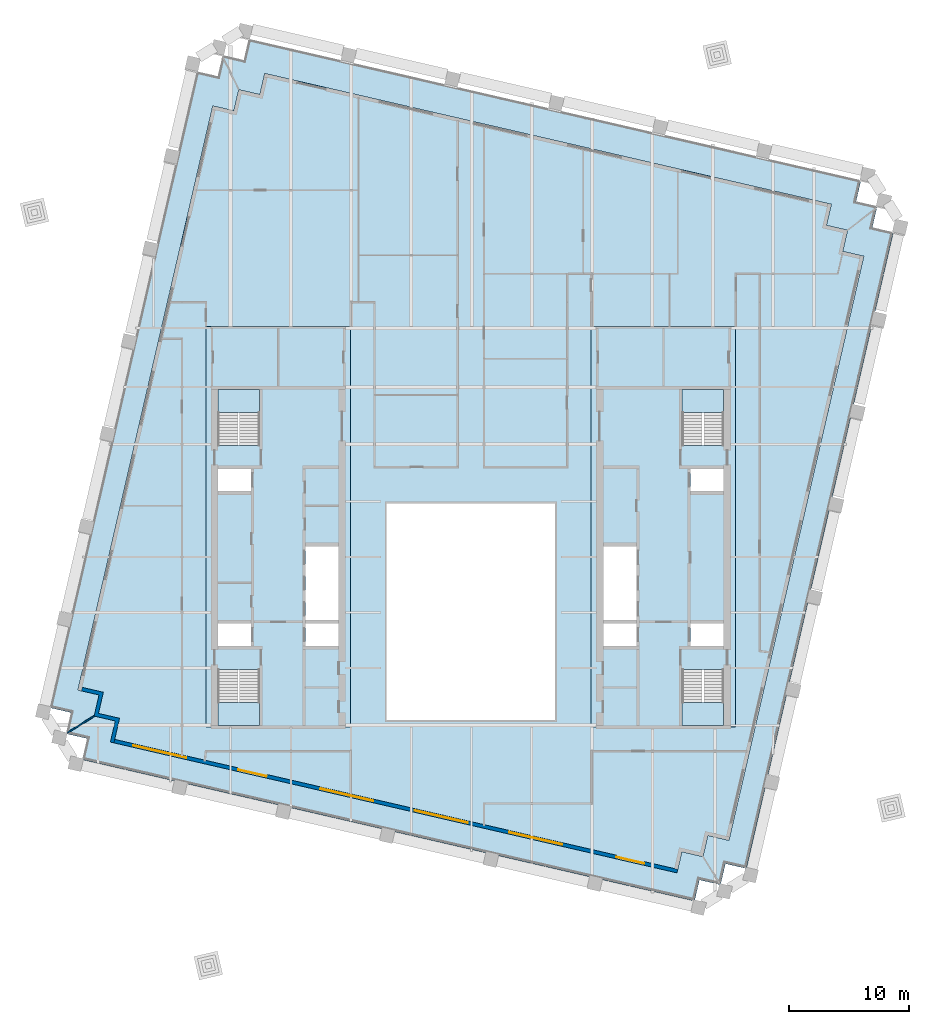
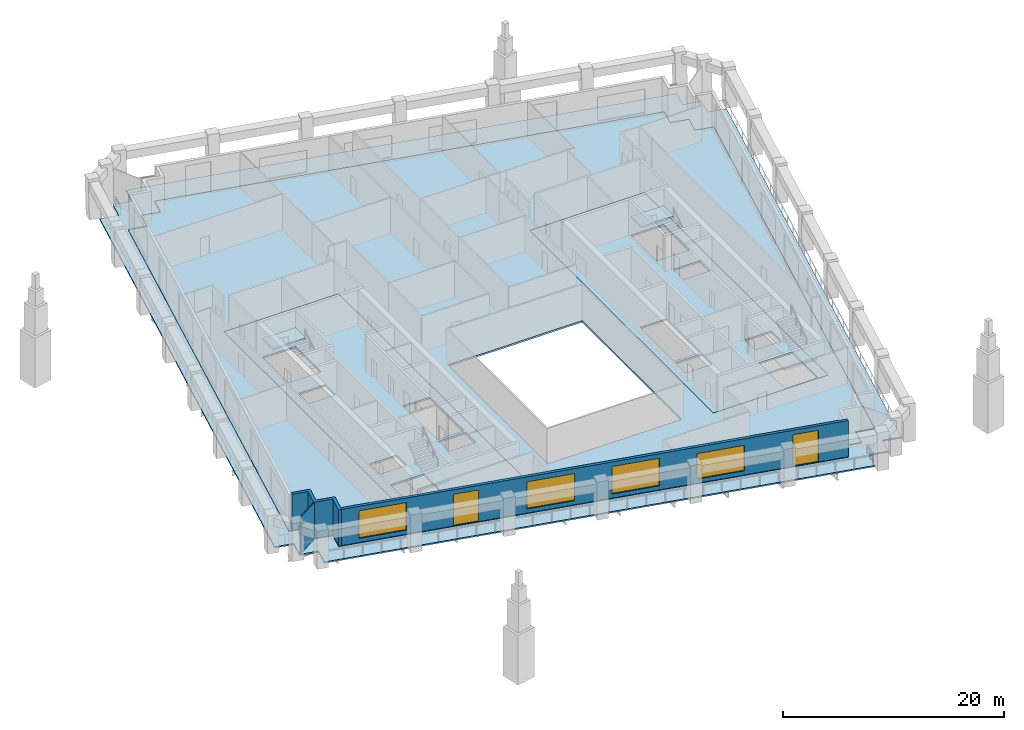
# One storey, part 3 of 9: 8 slabs, 4 windows, 3 walls, 2 doors, 6 openings, 4 elements without a shape of their own.
"""IFC4 building model written with IfcOpenShell, lengths in metres."""

import ifcopenshell
import ifcopenshell.guid

model = None  # the IFC model being written
_history = None  # IfcOwnerHistory: only IFC2X3 demands one
_inside = {}  # id of a spatial element -> (the spatial element, [elements in it])
_under = {}  # id of a project, library or spatial element -> (it, [spatial elements below it])
_declared = {}  # id of a project -> (the project, [libraries it declares])
_typed = {}  # id of a type object -> (the type object, [elements of that type])
_made_of = {}  # id of a material, layer set ... -> (it, [elements and type objects made of it])


def new_model(schema):
    """Start an empty IFC model of exactly this schema.

    Asked for "IFC4X3", IfcOpenShell would pick the latest addendum, in which some entities
    have other attributes; the version numbers below select the first issue.
    IFC2X3 requires an IfcOwnerHistory on every rooted entity: one is made here for all.
    """
    global model, _history
    if schema == "IFC4X3":
        model = ifcopenshell.file(schema_version=(4, 3, 0, 0))
    else:
        model = ifcopenshell.file(schema=schema)
    _inside.clear()
    _under.clear()
    _declared.clear()
    _typed.clear()
    _made_of.clear()
    _history = None
    if model.schema == "IFC2X3":
        org = make("IfcOrganization", Name="unknown")
        user = make(
            "IfcPersonAndOrganization",
            ThePerson=make("IfcPerson", FamilyName="unknown"),
            TheOrganization=org,
        )
        app = make(
            "IfcApplication",
            ApplicationDeveloper=org,
            Version="unknown",
            ApplicationFullName="unknown",
            ApplicationIdentifier="unknown",
        )
        _history = make(
            "IfcOwnerHistory",
            OwningUser=user,
            OwningApplication=app,
            ChangeAction="ADDED",
            CreationDate=0,
        )
    return model


def make(cls, **values):
    """One entity of the class cls with the attributes given. An attribute that is None is left unset."""
    return model.create_entity(
        cls, **{name: value for name, value in values.items() if value is not None}
    )


def rooted(cls, **values):
    """An entity with a GlobalId (a new one), such as an element, a storey or a relation."""
    return make(cls, GlobalId=ifcopenshell.guid.new(), OwnerHistory=_history, **values)


def si_unit(unit_type, name, prefix=None):
    """IfcSIUnit, for example si_unit("LENGTHUNIT", "METRE", prefix="MILLI")."""
    return make("IfcSIUnit", UnitType=unit_type, Prefix=prefix, Name=name)


def assignment(units):
    """IfcUnitAssignment: the units of a project."""
    return None if units is None else make("IfcUnitAssignment", Units=units)


def point(xyz):
    """IfcCartesianPoint."""
    return None if xyz is None else make("IfcCartesianPoint", Coordinates=xyz)


def direction(xyz):
    """IfcDirection."""
    return None if xyz is None else make("IfcDirection", DirectionRatios=xyz)


def frame(location, z_axis=None, x_axis=None):
    """IfcAxis2Placement3D, a coordinate frame: its origin and axes. An axis left out is left unset."""
    return make(
        "IfcAxis2Placement3D",
        Location=point(location),
        Axis=direction(z_axis),
        RefDirection=direction(x_axis),
    )


def frame_2d(location, x_axis=None):
    """IfcAxis2Placement2D, a coordinate frame in the plane: its origin and x axis."""
    return make(
        "IfcAxis2Placement2D", Location=point(location), RefDirection=direction(x_axis)
    )


def origin():
    """The frame at (0, 0, 0) with its axes left unset."""
    return frame((0.0, 0.0, 0.0))


def place(relative_to, where):
    """IfcLocalPlacement: puts the frame where relative to a parent placement (None: the world)."""
    return make(
        "IfcLocalPlacement", PlacementRelTo=relative_to, RelativePlacement=where
    )


def context(
    kind, dimensions, precision=None, world=None, true_north=None, identifier=None
):
    """IfcGeometricRepresentationContext, for example the 3D "Model" context."""
    return make(
        "IfcGeometricRepresentationContext",
        ContextIdentifier=identifier,
        ContextType=kind,
        CoordinateSpaceDimension=dimensions,
        Precision=precision,
        WorldCoordinateSystem=world,
        TrueNorth=true_north,
    )


def subcontext(parent, identifier, kind, view, scale=None):
    """IfcGeometricRepresentationSubContext, for example "Body" below "Model"."""
    return make(
        "IfcGeometricRepresentationSubContext",
        ContextIdentifier=identifier,
        ContextType=kind,
        ParentContext=parent,
        TargetScale=scale,
        TargetView=view,
    )


def project(units=None, contexts=None):
    """IfcProject with its units and contexts."""
    return rooted(
        "IfcProject",
        Name="project",
        RepresentationContexts=contexts,
        UnitsInContext=assignment(units),
    )


def spatial(cls, under=None, at=None, **own):
    """A site, building, storey or space (cls), placed at a placement, below another one or the project."""
    s = rooted(cls, ObjectPlacement=at, **own)
    if under is not None:
        _under.setdefault(under.id(), (under, []))[1].append(s)
    return s


def polyline(points):
    """IfcPolyline through the points."""
    return make("IfcPolyline", Points=[point(p) for p in points])


def profile(cls, at=None, kind="AREA", **sizes):
    """A parametric profile (cls). Its sizes go by their IFC names, for example OverallWidth=200.0."""
    return make(cls, ProfileType=kind, Position=at, **sizes)


def rectangle(**sizes):
    """IfcRectangleProfileDef."""
    return profile("IfcRectangleProfileDef", **sizes)


def outline(outer, holes=None, kind="AREA"):
    """IfcArbitraryClosedProfileDef: a profile drawn as a closed curve; with holes, ...WithVoids."""
    if holes is None:
        return make("IfcArbitraryClosedProfileDef", ProfileType=kind, OuterCurve=outer)
    return make(
        "IfcArbitraryProfileDefWithVoids",
        ProfileType=kind,
        OuterCurve=outer,
        InnerCurves=holes,
    )


def extrude(swept, where, along, depth):
    """IfcExtrudedAreaSolid: the profile swept, set in the frame where, extruded along a direction by depth."""
    return make(
        "IfcExtrudedAreaSolid",
        SweptArea=swept,
        Position=where,
        ExtrudedDirection=direction(along),
        Depth=depth,
    )


def shape(context_of_items, identifier, shape_type, items):
    """IfcShapeRepresentation: the items that make up one representation, for example the "Body"."""
    return make(
        "IfcShapeRepresentation",
        ContextOfItems=context_of_items,
        RepresentationIdentifier=identifier,
        RepresentationType=shape_type,
        Items=items,
    )


def material(Name=None, Category=None):
    """IfcMaterial."""
    return make("IfcMaterial", Name=Name, Category=Category)


def layer(
    of_material, thickness, ventilated=None, Name=None, Category=None, Priority=None
):
    """IfcMaterialLayer: one layer of a wall or slab, of a material (None: an air gap)."""
    return make(
        "IfcMaterialLayer",
        Material=of_material,
        LayerThickness=thickness,
        IsVentilated=ventilated,
        Name=Name,
        Category=Category,
        Priority=Priority,
    )


def layer_set(layers, Name=None):
    """IfcMaterialLayerSet."""
    return make("IfcMaterialLayerSet", MaterialLayers=layers, LayerSetName=Name)


def made_of(thing, what):
    """Note that an element or type object is made of a material, layer set ...; save() writes the relation."""
    if what is not None:
        _made_of.setdefault(what.id(), (what, []))[1].append(thing)
    return thing


def type_object(cls, material=None, **own):
    """A type object (cls), such as IfcWallType, which elements share."""
    return made_of(rooted(cls, **own), material)


def element(
    cls,
    number,
    at=None,
    inside=None,
    cuts=None,
    type_object=None,
    material=None,
    context=None,
    identifier="Body",
    shape_type=None,
    held_by="IfcProductDefinitionShape",
    body=None,
    shapes=None,
    **own,
):
    """One element of the class cls, such as IfcWall. Its Tag is "e" and its number.

    at: its placement. inside: the storey or other place that contains it. cuts: it is an
    opening in that element (IfcRelVoidsElement). A single representation is given by context,
    identifier, shape_type and body (its items); several are given by shapes. held_by: the class
    of the entity that holds the representations. save() writes the other relations.
    """
    e = rooted(cls, Tag="e%d" % number, ObjectPlacement=at, **own)
    if body is not None:
        shapes = [shape(context, identifier, shape_type, body)]
    if shapes is not None:
        e.Representation = make(held_by, Representations=shapes)
    if inside is not None:
        _inside.setdefault(inside.id(), (inside, []))[1].append(e)
    if cuts is not None:
        rooted(
            "IfcRelVoidsElement", RelatingBuildingElement=cuts, RelatedOpeningElement=e
        )
    if type_object is not None:
        _typed.setdefault(type_object.id(), (type_object, []))[1].append(e)
    return made_of(e, material)


def fill(opening, filler):
    """IfcRelFillsElement: the door or window that sits in an opening."""
    return rooted(
        "IfcRelFillsElement",
        RelatingOpeningElement=opening,
        RelatedBuildingElement=filler,
    )


def aggregate(whole, parts):
    """IfcRelAggregates: a whole, such as a stair, and the parts it consists of."""
    return rooted("IfcRelAggregates", RelatingObject=whole, RelatedObjects=parts)


def save(model, path):
    """Write the relations noted so far, then the file.

    IfcRelAggregates (storeys below a building ...), IfcRelContainedInSpatialStructure (elements
    in a storey), IfcRelDefinesByType, IfcRelAssociatesMaterial and IfcRelDeclares: one each for
    every whole, place, type object, material and project.
    """
    for whole, parts in _under.values():
        aggregate(whole, parts)
    for where, things in _inside.values():
        rooted(
            "IfcRelContainedInSpatialStructure",
            RelatedElements=things,
            RelatingStructure=where,
        )
    for kind, things in _typed.values():
        rooted("IfcRelDefinesByType", RelatedObjects=things, RelatingType=kind)
    for what, things in _made_of.values():
        rooted("IfcRelAssociatesMaterial", RelatedObjects=things, RelatingMaterial=what)
    for by, libraries in _declared.values():
        rooted("IfcRelDeclares", RelatingContext=by, RelatedDefinitions=libraries)
    model.write(path)


model = new_model("IFC4")

# Units and contexts
model_context = context("Model", 3, precision=1e-05, world=origin(), true_north=direction((0.0, 1.0)))
body_context = subcontext(model_context, "Body", "Model", "MODEL_VIEW")
ifc_project = project(units=[si_unit("LENGTHUNIT", "METRE"), si_unit("AREAUNIT", "SQUARE_METRE"), si_unit("VOLUMEUNIT", "CUBIC_METRE"), si_unit("PLANEANGLEUNIT", "RADIAN"), si_unit("MASSUNIT", "GRAM", prefix="KILO")], contexts=[model_context])

# Site, building, storey
site_placement = place(None, origin())
site = spatial("IfcSite", under=ifc_project, at=site_placement, CompositionType="ELEMENT")
building_placement = place(site_placement, origin())
building = spatial("IfcBuilding", under=site, at=building_placement, Name="Ogive Exchange Tower", CompositionType="ELEMENT")
storey_placement = place(building_placement, frame((0.0, 0.0, 243.0)))
storey = spatial("IfcBuildingStorey", under=building, at=storey_placement, Name="L52", CompositionType="ELEMENT", Elevation=243.0)

# Slabs
ifc_material_1 = material(Name="Concrete C50/60", Category="concrete")
ifc_layer_1 = layer(ifc_material_1, 0.199951171875)
ifc_layer_set_1 = layer_set([ifc_layer_1], Name="Composite floor slab 200")
slab_type_1 = type_object("IfcSlabType", Name="Composite floor slab 200", PredefinedType="FLOOR", material=ifc_layer_set_1)
slab_1_placement = place(storey_placement, frame((0.0, 0.0, -0.199951171875)))
element("IfcSlab", 1, at=slab_1_placement, inside=storey, type_object=slab_type_1, Name="Composite floor slab", PredefinedType="FLOOR", context=body_context, shape_type="SweptSolid", body=[
    extrude(outline(polyline([(-29.537109375, -2.0830078125), (-31.291015625, -1.67822265625), (-30.88623046875, 0.07568359375), (-32.64013671875, 0.480712890625), (-21.4375, 49.004150390625), (-19.68359375, 48.599365234375), (-19.27880859375, 50.353271484375), (-17.52490234375, 49.9482421875), (-17.119873046875, 51.7021484375), (29.942138671875, 40.8369140625), (29.537109375, 39.0830078125), (31.291015625, 38.67822265625), (30.88623046875, 36.92431640625), (32.64013671875, 36.519287109375), (21.4375, -12.004150390625), (19.68359375, -11.599365234375), (19.27880859375, -13.353271484375), (17.52490234375, -12.9482421875), (17.119873046875, -14.7021484375), (-29.942138671875, -3.8369140625), (-29.537109375, -2.0830078125)]), holes=[polyline([(7.0, -2.0), (7.0, 16.0), (-7.0, 16.0), (-7.0, -2.0), (7.0, -2.0)]), polyline([(-22.0, -2.60009765625), (-10.0, -2.60009765625), (-10.0, 30.699951171875), (-22.0, 30.699951171875), (-22.0, -2.60009765625)]), polyline([(10.0, -2.60009765625), (22.0, -2.60009765625), (22.0, 30.699951171875), (10.0, 30.699951171875), (10.0, -2.60009765625)])]), origin(), (0.0, 0.0, 1.0), 0.199951171875),
])
ifc_material_2 = material(Name="Concrete C70/85", Category="concrete")
ifc_layer_2 = layer(ifc_material_2, 0.199951171875)
ifc_layer_set_2 = layer_set([ifc_layer_2], Name="Core floor slab 200")
slab_type_2 = type_object("IfcSlabType", Name="Core floor slab 200", PredefinedType="FLOOR", material=ifc_layer_set_2)
slab_2_placement = place(storey_placement, frame((0.0, 0.0, -0.199951171875)))
element("IfcSlab", 2, at=slab_2_placement, inside=storey, type_object=slab_type_2, Name="Core floor slab", PredefinedType="FLOOR", context=body_context, shape_type="SweptSolid", body=[
    extrude(outline(polyline([(-22.0, -2.60009765625), (-22.0, 30.699951171875), (-10.0, 30.699951171875), (-10.0, -2.60009765625), (-22.0, -2.60009765625)]), holes=[polyline([(-17.550048828125, 2.196044921875), (-21.0, 2.196044921875), (-21.0, -2.449951171875), (-17.550048828125, -2.449951171875), (-17.550048828125, 2.196044921875)]), polyline([(-18.25, 5.992919921875), (-21.0, 5.992919921875), (-21.0, 4.14990234375), (-18.25, 4.14990234375), (-18.25, 5.992919921875)]), polyline([(-11.0, 5.992919921875), (-13.75, 5.992919921875), (-13.75, 4.14990234375), (-11.0, 4.14990234375), (-11.0, 5.992919921875)]), polyline([(-13.75, 12.42138671875), (-13.75, 6.29296875), (-11.0, 6.29296875), (-11.0, 12.42138671875), (-13.75, 12.42138671875)]), polyline([(-18.25, 18.85009765625), (-21.0, 18.85009765625), (-21.0, 17.007080078125), (-18.25, 17.007080078125), (-18.25, 18.85009765625)]), polyline([(-21.0, 25.449951171875), (-21.0, 20.803955078125), (-17.550048828125, 20.803955078125), (-17.550048828125, 25.449951171875), (-21.0, 25.449951171875)])]), origin(), (0.0, 0.0, 1.0), 0.199951171875),
])
slab_3_placement = place(storey_placement, frame((0.0, 0.0, -0.199951171875)))
element("IfcSlab", 3, at=slab_3_placement, inside=storey, type_object=slab_type_2, Name="Core floor slab", PredefinedType="FLOOR", context=body_context, shape_type="SweptSolid", body=[
    extrude(outline(polyline([(10.0, -2.60009765625), (10.0, 30.699951171875), (22.0, 30.699951171875), (22.0, -2.60009765625), (10.0, -2.60009765625)]), holes=[polyline([(21.0, 2.196044921875), (17.550048828125, 2.196044921875), (17.550048828125, -2.449951171875), (21.0, -2.449951171875), (21.0, 2.196044921875)]), polyline([(13.75, 5.992919921875), (11.0, 5.992919921875), (11.0, 4.14990234375), (13.75, 4.14990234375), (13.75, 5.992919921875)]), polyline([(21.0, 5.992919921875), (18.25, 5.992919921875), (18.25, 4.14990234375), (21.0, 4.14990234375), (21.0, 5.992919921875)]), polyline([(11.0, 12.42138671875), (11.0, 6.29296875), (13.75, 6.29296875), (13.75, 12.42138671875), (11.0, 12.42138671875)]), polyline([(21.0, 18.85009765625), (18.25, 18.85009765625), (18.25, 17.007080078125), (21.0, 17.007080078125), (21.0, 18.85009765625)]), polyline([(17.550048828125, 25.449951171875), (17.550048828125, 20.803955078125), (21.0, 20.803955078125), (21.0, 25.449951171875), (17.550048828125, 25.449951171875)])]), origin(), (0.0, 0.0, 1.0), 0.199951171875),
])
ifc_layer_3 = layer(ifc_material_1, 0.14990234375)
ifc_layer_set_3 = layer_set([ifc_layer_3], Name="Loggia deck 150")
slab_type_3 = type_object("IfcSlabType", Name="Loggia deck 150", PredefinedType="FLOOR", material=ifc_layer_set_3)
slab_4_placement = place(storey_placement, frame((0.0, 0.0, -0.199951171875)))
element("IfcSlab", 4, at=slab_4_placement, inside=storey, type_object=slab_type_3, Name="Loggia deck", PredefinedType="FLOOR", context=body_context, shape_type="SweptSolid", body=[
    extrude(outline(polyline([(-31.8759765625, -3.54443359375), (-33.6298828125, -3.1396484375), (-33.224853515625, -1.3857421875), (-34.978759765625, -0.980712890625), (-22.776123046875, 51.87451171875), (-21.022216796875, 51.469482421875), (-20.617431640625, 53.223388671875), (-18.863525390625, 52.818359375), (-18.45849609375, 54.572265625), (32.403564453125, 42.829833984375), (31.99853515625, 41.075927734375), (33.75244140625, 40.6708984375), (33.34765625, 38.917236328125), (35.101318359375, 38.51220703125), (22.89892578125, -14.343017578125), (21.14501953125, -13.93798828125), (20.739990234375, -15.69189453125), (18.986083984375, -15.286865234375), (18.581298828125, -17.040771484375), (-32.28076171875, -5.29833984375), (-31.8759765625, -3.54443359375)]), holes=[polyline([(17.52490234375, -12.9482421875), (19.27880859375, -13.353271484375), (19.68359375, -11.599365234375), (21.4375, -12.004150390625), (32.64013671875, 36.519287109375), (30.88623046875, 36.92431640625), (31.291015625, 38.67822265625), (29.537109375, 39.0830078125), (29.942138671875, 40.8369140625), (-17.119873046875, 51.7021484375), (-17.52490234375, 49.9482421875), (-19.27880859375, 50.353271484375), (-19.68359375, 48.599365234375), (-21.4375, 49.004150390625), (-32.64013671875, 0.480712890625), (-30.88623046875, 0.07568359375), (-31.291015625, -1.67822265625), (-29.537109375, -2.0830078125), (-29.942138671875, -3.8369140625), (17.119873046875, -14.7021484375), (17.52490234375, -12.9482421875)])]), origin(), (0.0, 0.0, 1.0), 0.14990234375),
])

# Stair, slab
ifc_material_3 = material(Name="Concrete C40/50", Category="concrete")
stair_type = type_object("IfcStairType", Name="Exit stair 1650 wide", PredefinedType="HALF_TURN_STAIR", material=ifc_material_3)
stair_1_placement = place(storey_placement, origin())
stair_1 = element("IfcStair", 5, at=stair_1_placement, inside=storey, type_object=stair_type, Name="L52 exit stair ST1", PredefinedType="HALF_TURN_STAIR")
ifc_layer_4 = layer(ifc_material_3, 0.199951171875)
ifc_layer_set_4 = layer_set([ifc_layer_4], Name="Stair landing 200 slab")
slab_type_4 = type_object("IfcSlabType", Name="Stair landing 200 slab", PredefinedType="LANDING", material=ifc_layer_set_4)
slab_5_placement = place(storey_placement, frame((0.0, 0.0, 1.89990234375)))
slab_5 = element("IfcSlab", 6, at=slab_5_placement, type_object=slab_type_4, Name="ST1 landing 1", PredefinedType="LANDING", context=body_context, shape_type="SweptSolid", body=[
    extrude(outline(polyline([(-21.0, -0.550048828125), (-21.0, -2.449951171875), (-17.550048828125, -2.449951171875), (-17.550048828125, -0.550048828125), (-21.0, -0.550048828125)])), origin(), (0.0, 0.0, 1.0), 0.2001953125),
])
aggregate(stair_1, [slab_5])

stair_2_placement = place(storey_placement, origin())
stair_2 = element("IfcStair", 7, at=stair_2_placement, inside=storey, type_object=stair_type, Name="L52 exit stair ST2", PredefinedType="HALF_TURN_STAIR")
slab_6_placement = place(storey_placement, frame((0.0, 0.0, 1.89990234375)))
slab_6 = element("IfcSlab", 8, at=slab_6_placement, type_object=slab_type_4, Name="ST2 landing 1", PredefinedType="LANDING", context=body_context, shape_type="SweptSolid", body=[
    extrude(outline(polyline([(-17.550048828125, 23.550048828125), (-17.550048828125, 25.449951171875), (-21.0, 25.449951171875), (-21.0, 23.550048828125), (-17.550048828125, 23.550048828125)])), origin(), (0.0, 0.0, 1.0), 0.2001953125),
])
aggregate(stair_2, [slab_6])

stair_3_placement = place(storey_placement, origin())
stair_3 = element("IfcStair", 9, at=stair_3_placement, inside=storey, type_object=stair_type, Name="L52 exit stair ST3", PredefinedType="HALF_TURN_STAIR")
slab_7_placement = place(storey_placement, frame((0.0, 0.0, 1.89990234375)))
slab_7 = element("IfcSlab", 10, at=slab_7_placement, type_object=slab_type_4, Name="ST3 landing 1", PredefinedType="LANDING", context=body_context, shape_type="SweptSolid", body=[
    extrude(outline(polyline([(17.550048828125, -0.550048828125), (17.550048828125, -2.449951171875), (21.0, -2.449951171875), (21.0, -0.550048828125), (17.550048828125, -0.550048828125)])), origin(), (0.0, 0.0, 1.0), 0.2001953125),
])
aggregate(stair_3, [slab_7])

stair_4_placement = place(storey_placement, origin())
stair_4 = element("IfcStair", 11, at=stair_4_placement, inside=storey, type_object=stair_type, Name="L52 exit stair ST4", PredefinedType="HALF_TURN_STAIR")
slab_8_placement = place(storey_placement, frame((0.0, 0.0, 1.89990234375)))
slab_8 = element("IfcSlab", 12, at=slab_8_placement, type_object=slab_type_4, Name="ST4 landing 1", PredefinedType="LANDING", context=body_context, shape_type="SweptSolid", body=[
    extrude(outline(polyline([(21.0, 23.550048828125), (21.0, 25.449951171875), (17.550048828125, 25.449951171875), (17.550048828125, 23.550048828125), (21.0, 23.550048828125)])), origin(), (0.0, 0.0, 1.0), 0.2001953125),
])
aggregate(stair_4, [slab_8])

# Wall, openings, doors, windows
ifc_material_4 = material(Name="Precast concrete C40/50", Category="concrete")
ifc_layer_5 = layer(ifc_material_4, 0.300048828125)
ifc_layer_set_5 = layer_set([ifc_layer_5], Name="Limestone-faced wall 300")
wall_type_1 = type_object("IfcWallType", Name="Limestone-faced wall 300", PredefinedType="STANDARD", material=ifc_layer_set_5)
wall_1_placement = place(storey_placement, frame((-29.6162109375, -3.75830078125, 0.0), z_axis=(0.0, 0.0, 1.0), x_axis=(0.974370532314, -0.224949029246, 0.0)))
wall_1 = element("IfcWall", 13, at=wall_1_placement, inside=storey, type_object=wall_type_1, Name="External wall S1", PredefinedType="STANDARD", context=body_context, shape_type="SweptSolid", body=[
    extrude(rectangle(XDim=48.000244140625, YDim=0.300048828125, at=frame_2d((24.0, 0.0))), origin(), (0.0, 0.0, 1.0), 4.0),
])
opening_1_placement = place(wall_1_placement, frame((1.625, 0.0, 0.449951171875)))
opening_1 = element("IfcOpeningElement", 14, at=opening_1_placement, cuts=wall_1, Name="Opening W1", PredefinedType="OPENING", context=body_context, shape_type="SweptSolid", body=[
    extrude(rectangle(XDim=4.5, YDim=3.050048828125, at=frame_2d((2.25, 1.52490234375))), frame((0.0, 0.159912109375, 0.0), z_axis=(0.0, -1.0, 0.0), x_axis=(1.0, 0.0, 0.0)), (0.0, 0.0, 1.0), 0.320068359375),
])
opening_2_placement = place(wall_1_placement, frame((10.574951171875, 0.0, 0.0)))
opening_2 = element("IfcOpeningElement", 15, at=opening_2_placement, cuts=wall_1, Name="Opening D1", PredefinedType="OPENING", context=body_context, shape_type="SweptSolid", body=[
    extrude(rectangle(XDim=2.39990234375, YDim=3.5, at=frame_2d((1.199951171875, 1.75))), frame((0.0, 0.159912109375, 0.0), z_axis=(0.0, -1.0, 0.0), x_axis=(1.0, 0.0, 0.0)), (0.0, 0.0, 1.0), 0.320068359375),
])
opening_3_placement = place(wall_1_placement, frame((17.574951171875, 0.0, 0.449951171875)))
opening_3 = element("IfcOpeningElement", 16, at=opening_3_placement, cuts=wall_1, Name="Opening W1A", PredefinedType="OPENING", context=body_context, shape_type="SweptSolid", body=[
    extrude(rectangle(XDim=4.5, YDim=3.0, at=frame_2d((2.25, 1.5))), frame((0.0, 0.159912109375, 0.0), z_axis=(0.0, -1.0, 0.0), x_axis=(1.0, 0.0, 0.0)), (0.0, 0.0, 1.0), 0.320068359375),
])
opening_4_placement = place(wall_1_placement, frame((25.625, 0.0, 0.449951171875)))
opening_4 = element("IfcOpeningElement", 17, at=opening_4_placement, cuts=wall_1, Name="Opening W1", PredefinedType="OPENING", context=body_context, shape_type="SweptSolid", body=[
    extrude(rectangle(XDim=4.5, YDim=3.050048828125, at=frame_2d((2.25, 1.52490234375))), frame((0.0, 0.159912109375, 0.0), z_axis=(0.0, -1.0, 0.0), x_axis=(1.0, 0.0, 0.0)), (0.0, 0.0, 1.0), 0.320068359375),
])
opening_5_placement = place(wall_1_placement, frame((33.675048828125, 0.0, 0.449951171875)))
opening_5 = element("IfcOpeningElement", 18, at=opening_5_placement, cuts=wall_1, Name="Opening W1E", PredefinedType="OPENING", context=body_context, shape_type="SweptSolid", body=[
    extrude(rectangle(XDim=4.5, YDim=2.824951171875, at=frame_2d((2.25, 1.41259765625))), frame((0.0, 0.159912109375, 0.0), z_axis=(0.0, -1.0, 0.0), x_axis=(1.0, 0.0, 0.0)), (0.0, 0.0, 1.0), 0.320068359375),
])
opening_6_placement = place(wall_1_placement, frame((42.77490234375, 0.0, 0.0)))
opening_6 = element("IfcOpeningElement", 19, at=opening_6_placement, cuts=wall_1, Name="Opening D1", PredefinedType="OPENING", context=body_context, shape_type="SweptSolid", body=[
    extrude(rectangle(XDim=2.39990234375, YDim=3.5, at=frame_2d((1.199951171875, 1.75))), frame((0.0, 0.159912109375, 0.0), z_axis=(0.0, -1.0, 0.0), x_axis=(1.0, 0.0, 0.0)), (0.0, 0.0, 1.0), 0.320068359375),
])
ifc_material_5 = material(Name="Clear glass in bronze frame", Category="glass")
door_type = type_object("IfcDoorType", Name="Sliding loggia door 2400 x 3500", OperationType="DOUBLE_DOOR_SLIDING", PredefinedType="DOOR", material=ifc_material_5)
door_1_placement = place(opening_2_placement, origin())
door_1 = element("IfcDoor", 20, at=door_1_placement, inside=storey, type_object=door_type, Name="Loggia door S01", OperationType="DOUBLE_DOOR_SLIDING", OverallHeight=3.5, OverallWidth=2.39990234375, PredefinedType="DOOR", context=body_context, shape_type="SweptSolid", body=[
    extrude(rectangle(XDim=2.39990234375, YDim=3.5, at=frame_2d((1.199951171875, 1.75))), frame((0.0, 0.02490234375, 0.0), z_axis=(0.0, -1.0, 0.0), x_axis=(1.0, 0.0, 0.0)), (0.0, 0.0, 1.0), 0.050048828125),
])
fill(opening_2, door_1)
door_2_placement = place(opening_6_placement, origin())
door_2 = element("IfcDoor", 21, at=door_2_placement, inside=storey, type_object=door_type, Name="Loggia door S05", OperationType="DOUBLE_DOOR_SLIDING", OverallHeight=3.5, OverallWidth=2.39990234375, PredefinedType="DOOR", context=body_context, shape_type="SweptSolid", body=[
    extrude(rectangle(XDim=2.39990234375, YDim=3.5, at=frame_2d((1.199951171875, 1.75))), frame((0.0, 0.02490234375, 0.0), z_axis=(0.0, -1.0, 0.0), x_axis=(1.0, 0.0, 0.0)), (0.0, 0.0, 1.0), 0.050048828125),
])
fill(opening_6, door_2)
window_type_1 = type_object("IfcWindowType", Name="Twin lancet window 4500 x 2825", PartitioningType="DOUBLE_PANEL_VERTICAL", PredefinedType="WINDOW", material=ifc_material_5)
window_1_placement = place(opening_5_placement, origin())
window_1 = element("IfcWindow", 22, at=window_1_placement, inside=storey, type_object=window_type_1, Name="Window S04", OverallHeight=2.824951171875, OverallWidth=4.5, PartitioningType="DOUBLE_PANEL_VERTICAL", PredefinedType="WINDOW", context=body_context, shape_type="SweptSolid", body=[
    extrude(rectangle(XDim=4.5, YDim=2.824951171875, at=frame_2d((2.25, 1.41259765625))), frame((0.0, 0.030029296875, 0.0), z_axis=(0.0, -1.0, 0.0), x_axis=(1.0, 0.0, 0.0)), (0.0, 0.0, 1.0), 0.06005859375),
])
fill(opening_5, window_1)
window_type_2 = type_object("IfcWindowType", Name="Twin lancet window 4500 x 3000", PartitioningType="DOUBLE_PANEL_VERTICAL", PredefinedType="WINDOW", material=ifc_material_5)
window_2_placement = place(opening_3_placement, origin())
window_2 = element("IfcWindow", 23, at=window_2_placement, inside=storey, type_object=window_type_2, Name="Window S02", OverallHeight=3.0, OverallWidth=4.5, PartitioningType="DOUBLE_PANEL_VERTICAL", PredefinedType="WINDOW", context=body_context, shape_type="SweptSolid", body=[
    extrude(rectangle(XDim=4.5, YDim=3.0, at=frame_2d((2.25, 1.5))), frame((0.0, 0.030029296875, 0.0), z_axis=(0.0, -1.0, 0.0), x_axis=(1.0, 0.0, 0.0)), (0.0, 0.0, 1.0), 0.06005859375),
])
fill(opening_3, window_2)
window_type_3 = type_object("IfcWindowType", Name="Twin lancet window 4500 x 3050", PartitioningType="DOUBLE_PANEL_VERTICAL", PredefinedType="WINDOW", material=ifc_material_5)
window_3_placement = place(opening_1_placement, origin())
window_3 = element("IfcWindow", 24, at=window_3_placement, inside=storey, type_object=window_type_3, Name="Window S00", OverallHeight=3.050048828125, OverallWidth=4.5, PartitioningType="DOUBLE_PANEL_VERTICAL", PredefinedType="WINDOW", context=body_context, shape_type="SweptSolid", body=[
    extrude(rectangle(XDim=4.5, YDim=3.050048828125, at=frame_2d((2.25, 1.52490234375))), frame((0.0, 0.030029296875, 0.0), z_axis=(0.0, -1.0, 0.0), x_axis=(1.0, 0.0, 0.0)), (0.0, 0.0, 1.0), 0.06005859375),
])
fill(opening_1, window_3)
window_4_placement = place(opening_4_placement, origin())
window_4 = element("IfcWindow", 25, at=window_4_placement, inside=storey, type_object=window_type_3, Name="Window S03", OverallHeight=3.050048828125, OverallWidth=4.5, PartitioningType="DOUBLE_PANEL_VERTICAL", PredefinedType="WINDOW", context=body_context, shape_type="SweptSolid", body=[
    extrude(rectangle(XDim=4.5, YDim=3.050048828125, at=frame_2d((2.25, 1.52490234375))), frame((0.0, 0.030029296875, 0.0), z_axis=(0.0, -1.0, 0.0), x_axis=(1.0, 0.0, 0.0)), (0.0, 0.0, 1.0), 0.06005859375),
])
fill(opening_4, window_4)

# Walls
wall_2_placement = place(storey_placement, origin())
element("IfcWall", 26, at=wall_2_placement, inside=storey, type_object=wall_type_1, Name="External corner wall C4", PredefinedType="STANDARD", context=body_context, shape_type="SweptSolid", body=[
    extrude(outline(polyline([(-31.291015625, -1.67822265625), (-30.88623046875, 0.07568359375), (-32.34765625, 0.4130859375), (-32.2802734375, 0.705322265625), (-30.5263671875, 0.300537109375), (-30.931396484375, -1.453369140625), (-29.177490234375, -1.8583984375), (-29.64990234375, -3.904541015625), (-29.942138671875, -3.8369140625), (-29.537109375, -2.0830078125), (-31.291015625, -1.67822265625)])), origin(), (0.0, 0.0, 1.0), 4.0),
])
ifc_material_6 = material(Name="Laminated safety glass in steel frame", Category="steel")
ifc_layer_6 = layer(ifc_material_6, 0.10009765625)
ifc_layer_set_6 = layer_set([ifc_layer_6], Name="Loggia end screen 100")
wall_type_2 = type_object("IfcWallType", Name="Loggia end screen 100", PredefinedType="STANDARD", material=ifc_layer_set_6)
wall_3_placement = place(storey_placement, frame((-31.291015625, -1.67822265625, -0.050048828125), z_axis=(0.0, 0.0, 1.0), x_axis=(-0.84807753525, -0.529872148923, 0.0)))
element("IfcWall", 27, at=wall_3_placement, inside=storey, type_object=wall_type_2, Name="Loggia end screen C4", PredefinedType="STANDARD", context=body_context, shape_type="SweptSolid", body=[
    extrude(rectangle(XDim=2.596435546875, YDim=0.10009765625, at=frame_2d((1.29833984375, 0.0))), origin(), (0.0, 0.0, 1.0), 4.050048828125),
])

save(model, "model.ifc")
